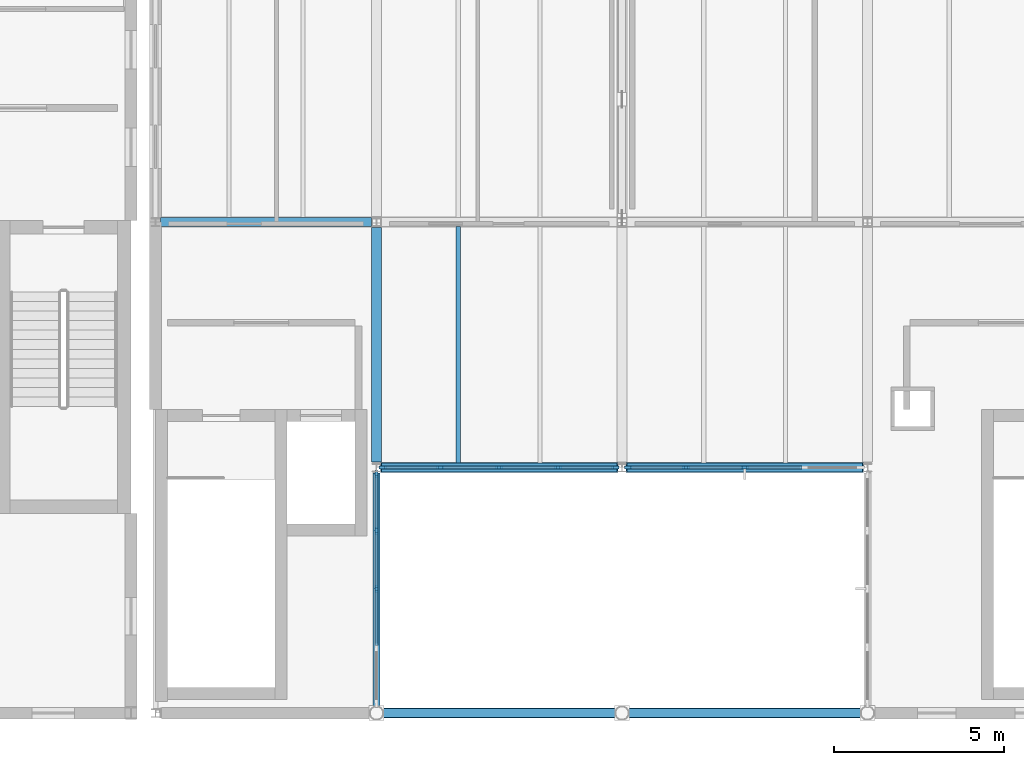
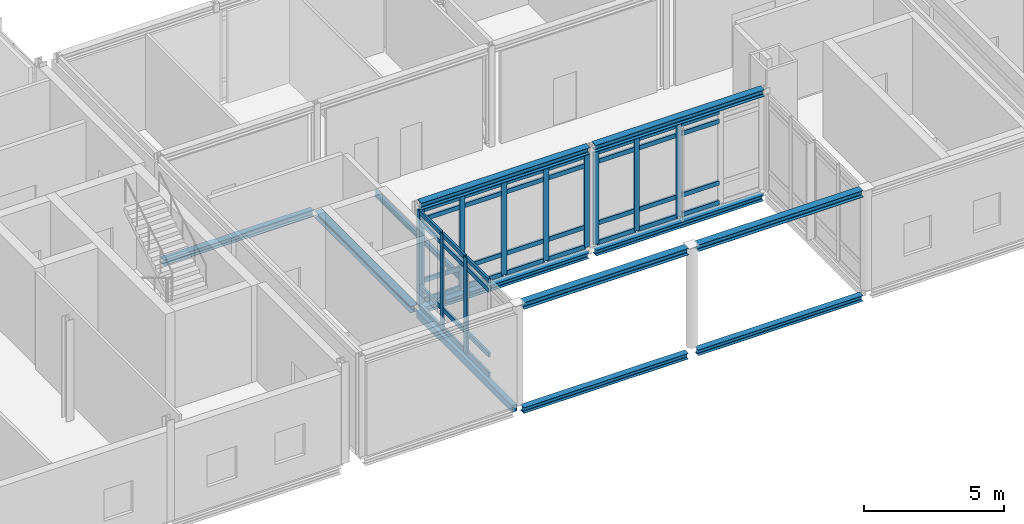
# One storey, part 9 of 43: 51 members, 12 beams, 3 elements without a shape of their own.
"""IFC4 building model written with IfcOpenShell, lengths in metres."""

from ifc_helpers import new_model, si_unit, direction, frame, origin, origin_2d, place, context, subcontext, project, spatial, rectangle, hollow_rectangle, i_section, extrude, material, layer, layer_set, material_profile, profile_set, type_object, element, aggregate, save


model = new_model("IFC4")

# Units and contexts
model_context = context("Model", 3, precision=1e-05, world=origin(), true_north=direction((0.0, 1.0)))
body_context = subcontext(model_context, "Body", "Model", "MODEL_VIEW")
ifc_project = project(units=[si_unit("LENGTHUNIT", "METRE"), si_unit("AREAUNIT", "SQUARE_METRE"), si_unit("VOLUMEUNIT", "CUBIC_METRE"), si_unit("PLANEANGLEUNIT", "RADIAN"), si_unit("MASSUNIT", "GRAM", prefix="KILO")], contexts=[model_context])

# Site, building, storey
site_placement = place(None, origin())
site = spatial("IfcSite", under=ifc_project, at=site_placement, CompositionType="ELEMENT")
building_placement = place(site_placement, origin())
building = spatial("IfcBuilding", under=site, at=building_placement, Name="Zarrinpeak Specialist Clinic", CompositionType="ELEMENT")
storey_placement = place(building_placement, frame((0.0, 0.0, 18.39990234375)))
storey = spatial("IfcBuildingStorey", under=building, at=storey_placement, Name="L04", CompositionType="ELEMENT", Elevation=18.39990234375)

# Beams
ifc_material_1 = material(Name="Steel S355", Category="steel")
ifc_material_profile_1 = material_profile(ifc_material_1, i_section(OverallWidth=0.260009765625, OverallDepth=0.25, WebThickness=0.007568359375, FlangeThickness=0.012451171875, FilletRadius=0.02392578125, at=origin_2d()), Name="HEA 260")
ifc_profile_set_1 = profile_set([ifc_material_profile_1], Name="Steel S355")
beam_type_1 = type_object("IfcBeamType", Name="BM-HEA260", PredefinedType="BEAM", material=ifc_profile_set_1)
for number, where, z_axis, x_axis, name in (
    (1, (36.201171875, 0.0, -0.324951171875), (1.0, 0.0, 0.0), (0.0, 1.0, 0.0), "L04 Primary Floor Girder BM-L04-X1813"),
    (2, (43.401123046875, 0.0, -0.324951171875), (1.0, 0.0, 0.0), (0.0, 1.0, 0.0), "L04 Primary Floor Girder BM-L04-X1814"),
):
    element("IfcBeam", number, at=place(storey_placement, frame(where, z_axis=z_axis, x_axis=x_axis)), inside=storey, type_object=beam_type_1, Name=name, PredefinedType="BEAM", context=body_context, shape_type="SweptSolid", body=[
        extrude(i_section(OverallWidth=0.260009765625, OverallDepth=0.25, WebThickness=0.007568359375, FlangeThickness=0.012451171875, FilletRadius=0.02392578125, at=origin_2d()), origin(), (0.0, 0.0, 1.0), 6.797607421875),
    ])
for number, where, z_axis, x_axis, name in (
    (3, (36.14794921875, 7.199951171875, -0.324951171875), (1.0, 0.0, 0.0), (0.0, 1.0, 0.0), "L04 Primary Floor Girder BM-L04-X1822"),
    (4, (43.347900390625, 7.199951171875, -0.324951171875), (1.0, 0.0, 0.0), (0.0, 1.0, 0.0), "L04 Primary Floor Girder BM-L04-X1823"),
):
    element("IfcBeam", number, at=place(storey_placement, frame(where, z_axis=z_axis, x_axis=x_axis)), inside=storey, type_object=beam_type_1, Name=name, PredefinedType="BEAM", context=body_context, shape_type="SweptSolid", body=[
        extrude(i_section(OverallWidth=0.260009765625, OverallDepth=0.25, WebThickness=0.007568359375, FlangeThickness=0.012451171875, FilletRadius=0.02392578125, at=origin_2d()), origin(), (0.0, 0.0, 1.0), 6.904052734375),
    ])
beam_1_placement = place(storey_placement, frame((29.66796875, 14.39990234375, -0.324951171875), z_axis=(1.0, 0.0, 0.0), x_axis=(0.0, 1.0, 0.0)))
element("IfcBeam", 5, at=beam_1_placement, inside=storey, type_object=beam_type_1, Name="L04 Primary Floor Girder BM-L04-X1827", PredefinedType="BEAM", context=body_context, shape_type="SweptSolid", body=[
    extrude(i_section(OverallWidth=0.260009765625, OverallDepth=0.25, WebThickness=0.007568359375, FlangeThickness=0.012451171875, FilletRadius=0.02392578125, at=origin_2d()), origin(), (0.0, 0.0, 1.0), 6.18408203125),
])
ifc_material_profile_2 = material_profile(ifc_material_1, i_section(OverallWidth=0.300048828125, OverallDepth=0.2900390625, WebThickness=0.008544921875, FlangeThickness=0.013916015625, FilletRadius=0.027099609375, at=origin_2d()), Name="HEA 300")
ifc_profile_set_2 = profile_set([ifc_material_profile_2], Name="Steel S355")
beam_type_2 = type_object("IfcBeamType", Name="BM-HEA300", PredefinedType="BEAM", material=ifc_profile_set_2)
beam_2_placement = place(storey_placement, frame((36.0, 7.35791015625, -0.344970703125), z_axis=(0.0, 1.0, 0.0), x_axis=(-1.0, 0.0, 0.0)))
element("IfcBeam", 6, at=beam_2_placement, inside=storey, type_object=beam_type_2, Name="L04 Primary Beam BM-L04-Y1912", PredefinedType="BEAM", context=body_context, shape_type="SweptSolid", body=[
    extrude(i_section(OverallWidth=0.300048828125, OverallDepth=0.2900390625, WebThickness=0.008544921875, FlangeThickness=0.013916015625, FilletRadius=0.027099609375, at=origin_2d()), origin(), (0.0, 0.0, 1.0), 6.884033203125),
])
for number, where, z_axis, x_axis, name in (
    (7, (36.201171875, 0.0, 4.25), (1.0, 0.0, 0.0), (0.0, 1.0, 0.0), "L04 Gable Eave Tie Girder V2 BM-RF-EAVE-2332"),
    (8, (43.401123046875, 0.0, 4.25), (1.0, 0.0, 0.0), (0.0, 1.0, 0.0), "L04 Gable Eave Tie Girder V2 BM-RF-EAVE-2333"),
):
    element("IfcBeam", number, at=place(storey_placement, frame(where, z_axis=z_axis, x_axis=x_axis)), inside=storey, type_object=beam_type_2, Name=name, PredefinedType="BEAM", context=body_context, shape_type="SweptSolid", body=[
        extrude(i_section(OverallWidth=0.300048828125, OverallDepth=0.2900390625, WebThickness=0.008544921875, FlangeThickness=0.013916015625, FilletRadius=0.027099609375, at=origin_2d()), origin(), (0.0, 0.0, 1.0), 6.797607421875),
    ])
beam_3_placement = place(storey_placement, frame((36.117919921875, 7.199951171875, 4.25), z_axis=(1.0, 0.0, 0.0), x_axis=(0.0, 1.0, 0.0)))
element("IfcBeam", 9, at=beam_3_placement, inside=storey, type_object=beam_type_2, Name="L04 Gable Eave Tie Girder V2 BM-RF-EAVE-2335", PredefinedType="BEAM", context=body_context, shape_type="SweptSolid", body=[
    extrude(i_section(OverallWidth=0.300048828125, OverallDepth=0.2900390625, WebThickness=0.008544921875, FlangeThickness=0.013916015625, FilletRadius=0.027099609375, at=origin_2d()), origin(), (0.0, 0.0, 1.0), 6.964111328125),
])
beam_4_placement = place(storey_placement, frame((43.318115234375, 7.199951171875, 4.25), z_axis=(1.0, 0.0, 0.0), x_axis=(0.0, 1.0, 0.0)))
element("IfcBeam", 10, at=beam_4_placement, inside=storey, type_object=beam_type_2, Name="L04 Gable Eave Tie Girder V2 BM-RF-EAVE-2336", PredefinedType="BEAM", context=body_context, shape_type="SweptSolid", body=[
    extrude(i_section(OverallWidth=0.300048828125, OverallDepth=0.2900390625, WebThickness=0.008544921875, FlangeThickness=0.013916015625, FilletRadius=0.027099609375, at=origin_2d()), origin(), (0.0, 0.0, 1.0), 6.9638671875),
])
ifc_material_profile_3 = material_profile(ifc_material_1, i_section(OverallWidth=0.1201171875, OverallDepth=0.239990234375, WebThickness=0.006103515625, FlangeThickness=0.009765625, FilletRadius=0.014892578125, at=origin_2d()), Name="IPE 240")
ifc_profile_set_3 = profile_set([ifc_material_profile_3], Name="Steel S355")
beam_type_3 = type_object("IfcBeamType", Name="BM-JST240", PredefinedType="JOIST", material=ifc_profile_set_3)
beam_5_placement = place(storey_placement, frame((38.39990234375, 7.327880859375, -0.31982421875), z_axis=(0.0, 1.0, 0.0), x_axis=(-1.0, 0.0, 0.0)))
element("IfcBeam", 11, at=beam_5_placement, inside=storey, type_object=beam_type_3, Name="L04 Composite Floor Joist JST-L04-1991", PredefinedType="JOIST", context=body_context, shape_type="SweptSolid", body=[
    extrude(i_section(OverallWidth=0.1201171875, OverallDepth=0.239990234375, WebThickness=0.006103515625, FlangeThickness=0.009765625, FilletRadius=0.014892578125, at=origin_2d()), origin(), (0.0, 0.0, 1.0), 6.944091796875),
])
ifc_material_profile_4 = material_profile(ifc_material_1, hollow_rectangle(XDim=0.199951171875, YDim=0.300048828125, WallThickness=0.012451171875, at=origin_2d()), Name="RHS 300x200x12.5")
ifc_profile_set_4 = profile_set([ifc_material_profile_4], Name="Steel S355")
beam_type_4 = type_object("IfcBeamType", Name="BM-SP300", PredefinedType="SPANDREL", material=ifc_profile_set_4)
beam_6_placement = place(storey_placement, frame((36.0, 0.201171875, -0.349853515625), z_axis=(0.0, 1.0, 0.0), x_axis=(-1.0, 0.0, 0.0)))
element("IfcBeam", 12, at=beam_6_placement, inside=storey, type_object=beam_type_4, Name="L04 Perimeter Spandrel Beam BM-L04-Y1911", PredefinedType="SPANDREL", context=body_context, shape_type="SweptSolid", body=[
    extrude(hollow_rectangle(XDim=0.199951171875, YDim=0.300048828125, WallThickness=0.012451171875, at=origin_2d()), origin(), (0.0, 0.0, 1.0), 6.8408203125),
])

# Curtain wall, members
ifc_material_2 = material(Name="Anodised Aluminium Alloy 6063-T6", Category="aluminium")
ifc_layer = layer(ifc_material_2, 0.18994140625)
ifc_layer_set = layer_set([ifc_layer], Name="Anodised Aluminium Alloy 6063-T6")
curtain_wall_type = type_object("IfcCurtainWallType", Name="CW-LOGGIA", PredefinedType="NOTDEFINED", material=ifc_layer_set)
curtain_wall_1_placement = place(storey_placement, origin())
curtain_wall_1 = element("IfcCurtainWall", 13, at=curtain_wall_1_placement, inside=storey, type_object=curtain_wall_type, Name="L04 V2 Unitised Curtain Wall CW-L04-V2-063", PredefinedType="NOTDEFINED")
ifc_material_profile_5 = material_profile(ifc_material_2, rectangle(XDim=0.090087890625, YDim=0.219970703125, at=origin_2d()), Name="ALU 90x220")
ifc_profile_set_5 = profile_set([ifc_material_profile_5], Name="Anodised Aluminium Alloy 6063-T6")
member_type_1 = type_object("IfcMemberType", Name="CWM-90", PredefinedType="MULLION", material=ifc_profile_set_5)
member_1_placement = place(storey_placement, frame((36.18994140625, 7.199951171875, 0.0), z_axis=(0.0, 0.0, 1.0), x_axis=(0.0, 1.0, 0.0)))
member_1 = element("IfcMember", 14, at=member_1_placement, type_object=member_type_1, Name="CW-04 mullion 1", PredefinedType="MULLION", context=body_context, shape_type="SweptSolid", body=[
    extrude(rectangle(XDim=0.090087890625, YDim=0.219970703125, at=origin_2d()), origin(), (0.0, 0.0, 1.0), 4.03515625),
])
member_2_placement = place(storey_placement, frame((37.87255859375, 7.199951171875, 0.0), z_axis=(0.0, 0.0, 1.0), x_axis=(0.0, 1.0, 0.0)))
member_2 = element("IfcMember", 15, at=member_2_placement, type_object=member_type_1, Name="CW-04 mullion 2", PredefinedType="MULLION", context=body_context, shape_type="SweptSolid", body=[
    extrude(rectangle(XDim=0.090087890625, YDim=0.219970703125, at=origin_2d()), origin(), (0.0, 0.0, 1.0), 4.03515625),
])
member_3_placement = place(storey_placement, frame((39.60009765625, 7.199951171875, 0.0), z_axis=(0.0, 0.0, 1.0), x_axis=(0.0, 1.0, 0.0)))
member_3 = element("IfcMember", 16, at=member_3_placement, type_object=member_type_1, Name="CW-04 mullion 3", PredefinedType="MULLION", context=body_context, shape_type="SweptSolid", body=[
    extrude(rectangle(XDim=0.090087890625, YDim=0.219970703125, at=origin_2d()), origin(), (0.0, 0.0, 1.0), 4.03515625),
])
member_4_placement = place(storey_placement, frame((41.327392578125, 7.199951171875, 0.0), z_axis=(0.0, 0.0, 1.0), x_axis=(0.0, 1.0, 0.0)))
member_4 = element("IfcMember", 17, at=member_4_placement, type_object=member_type_1, Name="CW-04 mullion 4", PredefinedType="MULLION", context=body_context, shape_type="SweptSolid", body=[
    extrude(rectangle(XDim=0.090087890625, YDim=0.219970703125, at=origin_2d()), origin(), (0.0, 0.0, 1.0), 4.03515625),
])
member_5_placement = place(storey_placement, frame((43.010009765625, 7.199951171875, 0.0), z_axis=(0.0, 0.0, 1.0), x_axis=(0.0, 1.0, 0.0)))
member_5 = element("IfcMember", 18, at=member_5_placement, type_object=member_type_1, Name="CW-04 mullion 5", PredefinedType="MULLION", context=body_context, shape_type="SweptSolid", body=[
    extrude(rectangle(XDim=0.090087890625, YDim=0.219970703125, at=origin_2d()), origin(), (0.0, 0.0, 1.0), 4.03515625),
])

curtain_wall_2_placement = place(storey_placement, origin())
curtain_wall_2 = element("IfcCurtainWall", 19, at=curtain_wall_2_placement, inside=storey, type_object=curtain_wall_type, Name="L04 V2 Unitised Curtain Wall CW-L04-V2-064", PredefinedType="NOTDEFINED")
member_6_placement = place(storey_placement, frame((43.389892578125, 7.199951171875, 0.0), z_axis=(0.0, 0.0, 1.0), x_axis=(0.0, 1.0, 0.0)))
member_6 = element("IfcMember", 20, at=member_6_placement, type_object=member_type_1, Name="CW-04 mullion 1", PredefinedType="MULLION", context=body_context, shape_type="SweptSolid", body=[
    extrude(rectangle(XDim=0.090087890625, YDim=0.219970703125, at=origin_2d()), origin(), (0.0, 0.0, 1.0), 4.03515625),
])
member_7_placement = place(storey_placement, frame((45.072509765625, 7.199951171875, 0.0), z_axis=(0.0, 0.0, 1.0), x_axis=(0.0, 1.0, 0.0)))
member_7 = element("IfcMember", 21, at=member_7_placement, type_object=member_type_1, Name="CW-04 mullion 2", PredefinedType="MULLION", context=body_context, shape_type="SweptSolid", body=[
    extrude(rectangle(XDim=0.090087890625, YDim=0.219970703125, at=origin_2d()), origin(), (0.0, 0.0, 1.0), 4.03515625),
])
member_8_placement = place(storey_placement, frame((46.800048828125, 7.199951171875, 0.0), z_axis=(0.0, 0.0, 1.0), x_axis=(0.0, 1.0, 0.0)))
member_8 = element("IfcMember", 22, at=member_8_placement, type_object=member_type_1, Name="CW-04 mullion 3", PredefinedType="MULLION", context=body_context, shape_type="SweptSolid", body=[
    extrude(rectangle(XDim=0.090087890625, YDim=0.219970703125, at=origin_2d()), origin(), (0.0, 0.0, 1.0), 4.03515625),
])

curtain_wall_3_placement = place(storey_placement, origin())
curtain_wall_3 = element("IfcCurtainWall", 23, at=curtain_wall_3_placement, inside=storey, type_object=curtain_wall_type, Name="L04 V2 Unitised Curtain Wall CW-L04-V2-065", PredefinedType="NOTDEFINED")
member_9_placement = place(storey_placement, frame((36.0, 3.6416015625, 0.0), z_axis=(0.0, 0.0, 1.0), x_axis=(-1.0, 0.0, 0.0)))
member_9 = element("IfcMember", 24, at=member_9_placement, type_object=member_type_1, Name="CW-04 mullion 3", PredefinedType="MULLION", context=body_context, shape_type="SweptSolid", body=[
    extrude(rectangle(XDim=0.090087890625, YDim=0.219970703125, at=origin_2d()), origin(), (0.0, 0.0, 1.0), 4.18017578125),
])
member_10_placement = place(storey_placement, frame((36.0, 5.348388671875, 0.0), z_axis=(0.0, 0.0, 1.0), x_axis=(-1.0, 0.0, 0.0)))
member_10 = element("IfcMember", 25, at=member_10_placement, type_object=member_type_1, Name="CW-04 mullion 4", PredefinedType="MULLION", context=body_context, shape_type="SweptSolid", body=[
    extrude(rectangle(XDim=0.090087890625, YDim=0.219970703125, at=origin_2d()), origin(), (0.0, 0.0, 1.0), 4.18017578125),
])
member_11_placement = place(storey_placement, frame((36.0, 7.010009765625, 0.0), z_axis=(0.0, 0.0, 1.0), x_axis=(-1.0, 0.0, 0.0)))
member_11 = element("IfcMember", 26, at=member_11_placement, type_object=member_type_1, Name="CW-04 mullion 5", PredefinedType="MULLION", context=body_context, shape_type="SweptSolid", body=[
    extrude(rectangle(XDim=0.090087890625, YDim=0.219970703125, at=origin_2d()), origin(), (0.0, 0.0, 1.0), 4.18017578125),
])

# Member
ifc_material_profile_6 = material_profile(ifc_material_2, rectangle(XDim=0.090087890625, YDim=0.18994140625, at=origin_2d()), Name="ALU 90x190")
ifc_profile_set_6 = profile_set([ifc_material_profile_6], Name="Anodised Aluminium Alloy 6063-T6")
member_type_2 = type_object("IfcMemberType", Name="CWT-90", PredefinedType="USERDEFINED", material=ifc_profile_set_6)
member_12_placement = place(storey_placement, frame((36.235107421875, 7.199951171875, 0.045166015625), z_axis=(1.0, 0.0, 0.0), x_axis=(0.0, 1.0, 0.0)))
member_12 = element("IfcMember", 27, at=member_12_placement, type_object=member_type_2, Name="CW-04 transom 1.1", ObjectType="TRANSOM", PredefinedType="USERDEFINED", context=body_context, shape_type="SweptSolid", body=[
    extrude(rectangle(XDim=0.090087890625, YDim=0.18994140625, at=origin_2d()), origin(), (0.0, 0.0, 1.0), 1.59228515625),
])

member_13_placement = place(storey_placement, frame((36.235107421875, 7.199951171875, 0.900146484375), z_axis=(1.0, 0.0, 0.0), x_axis=(0.0, 1.0, 0.0)))
member_13 = element("IfcMember", 28, at=member_13_placement, type_object=member_type_2, Name="CW-04 transom 1.2", ObjectType="TRANSOM", PredefinedType="USERDEFINED", context=body_context, shape_type="SweptSolid", body=[
    extrude(rectangle(XDim=0.090087890625, YDim=0.18994140625, at=origin_2d()), origin(), (0.0, 0.0, 1.0), 1.59228515625),
])

member_14_placement = place(storey_placement, frame((36.235107421875, 7.199951171875, 3.585205078125), z_axis=(1.0, 0.0, 0.0), x_axis=(0.0, 1.0, 0.0)))
member_14 = element("IfcMember", 29, at=member_14_placement, type_object=member_type_2, Name="CW-04 transom 1.3", ObjectType="TRANSOM", PredefinedType="USERDEFINED", context=body_context, shape_type="SweptSolid", body=[
    extrude(rectangle(XDim=0.090087890625, YDim=0.18994140625, at=origin_2d()), origin(), (0.0, 0.0, 1.0), 1.59228515625),
])

member_15_placement = place(storey_placement, frame((36.235107421875, 7.199951171875, 3.989990234375), z_axis=(1.0, 0.0, 0.0), x_axis=(0.0, 1.0, 0.0)))
member_15 = element("IfcMember", 30, at=member_15_placement, type_object=member_type_2, Name="CW-04 transom 1.4", ObjectType="TRANSOM", PredefinedType="USERDEFINED", context=body_context, shape_type="SweptSolid", body=[
    extrude(rectangle(XDim=0.090087890625, YDim=0.18994140625, at=origin_2d()), origin(), (0.0, 0.0, 1.0), 1.59228515625),
])

member_16_placement = place(storey_placement, frame((37.91748046875, 7.199951171875, 0.045166015625), z_axis=(1.0, 0.0, 0.0), x_axis=(0.0, 1.0, 0.0)))
member_16 = element("IfcMember", 31, at=member_16_placement, type_object=member_type_2, Name="CW-04 transom 2.1", ObjectType="TRANSOM", PredefinedType="USERDEFINED", context=body_context, shape_type="SweptSolid", body=[
    extrude(rectangle(XDim=0.090087890625, YDim=0.18994140625, at=origin_2d()), origin(), (0.0, 0.0, 1.0), 1.637451171875),
])

member_17_placement = place(storey_placement, frame((37.91748046875, 7.199951171875, 0.900146484375), z_axis=(1.0, 0.0, 0.0), x_axis=(0.0, 1.0, 0.0)))
member_17 = element("IfcMember", 32, at=member_17_placement, type_object=member_type_2, Name="CW-04 transom 2.2", ObjectType="TRANSOM", PredefinedType="USERDEFINED", context=body_context, shape_type="SweptSolid", body=[
    extrude(rectangle(XDim=0.090087890625, YDim=0.18994140625, at=origin_2d()), origin(), (0.0, 0.0, 1.0), 1.637451171875),
])

member_18_placement = place(storey_placement, frame((37.91748046875, 7.199951171875, 3.585205078125), z_axis=(1.0, 0.0, 0.0), x_axis=(0.0, 1.0, 0.0)))
member_18 = element("IfcMember", 33, at=member_18_placement, type_object=member_type_2, Name="CW-04 transom 2.3", ObjectType="TRANSOM", PredefinedType="USERDEFINED", context=body_context, shape_type="SweptSolid", body=[
    extrude(rectangle(XDim=0.090087890625, YDim=0.18994140625, at=origin_2d()), origin(), (0.0, 0.0, 1.0), 1.637451171875),
])

member_19_placement = place(storey_placement, frame((37.91748046875, 7.199951171875, 3.989990234375), z_axis=(1.0, 0.0, 0.0), x_axis=(0.0, 1.0, 0.0)))
member_19 = element("IfcMember", 34, at=member_19_placement, type_object=member_type_2, Name="CW-04 transom 2.4", ObjectType="TRANSOM", PredefinedType="USERDEFINED", context=body_context, shape_type="SweptSolid", body=[
    extrude(rectangle(XDim=0.090087890625, YDim=0.18994140625, at=origin_2d()), origin(), (0.0, 0.0, 1.0), 1.637451171875),
])

member_20_placement = place(storey_placement, frame((39.64501953125, 7.199951171875, 0.045166015625), z_axis=(1.0, 0.0, 0.0), x_axis=(0.0, 1.0, 0.0)))
member_20 = element("IfcMember", 35, at=member_20_placement, type_object=member_type_2, Name="CW-04 transom 3.1", ObjectType="TRANSOM", PredefinedType="USERDEFINED", context=body_context, shape_type="SweptSolid", body=[
    extrude(rectangle(XDim=0.090087890625, YDim=0.18994140625, at=origin_2d()), origin(), (0.0, 0.0, 1.0), 1.637451171875),
])

member_21_placement = place(storey_placement, frame((39.64501953125, 7.199951171875, 0.900146484375), z_axis=(1.0, 0.0, 0.0), x_axis=(0.0, 1.0, 0.0)))
member_21 = element("IfcMember", 36, at=member_21_placement, type_object=member_type_2, Name="CW-04 transom 3.2", ObjectType="TRANSOM", PredefinedType="USERDEFINED", context=body_context, shape_type="SweptSolid", body=[
    extrude(rectangle(XDim=0.090087890625, YDim=0.18994140625, at=origin_2d()), origin(), (0.0, 0.0, 1.0), 1.637451171875),
])

member_22_placement = place(storey_placement, frame((39.64501953125, 7.199951171875, 3.585205078125), z_axis=(1.0, 0.0, 0.0), x_axis=(0.0, 1.0, 0.0)))
member_22 = element("IfcMember", 37, at=member_22_placement, type_object=member_type_2, Name="CW-04 transom 3.3", ObjectType="TRANSOM", PredefinedType="USERDEFINED", context=body_context, shape_type="SweptSolid", body=[
    extrude(rectangle(XDim=0.090087890625, YDim=0.18994140625, at=origin_2d()), origin(), (0.0, 0.0, 1.0), 1.637451171875),
])

member_23_placement = place(storey_placement, frame((39.64501953125, 7.199951171875, 3.989990234375), z_axis=(1.0, 0.0, 0.0), x_axis=(0.0, 1.0, 0.0)))
member_23 = element("IfcMember", 38, at=member_23_placement, type_object=member_type_2, Name="CW-04 transom 3.4", ObjectType="TRANSOM", PredefinedType="USERDEFINED", context=body_context, shape_type="SweptSolid", body=[
    extrude(rectangle(XDim=0.090087890625, YDim=0.18994140625, at=origin_2d()), origin(), (0.0, 0.0, 1.0), 1.637451171875),
])

member_24_placement = place(storey_placement, frame((41.37255859375, 7.199951171875, 0.045166015625), z_axis=(1.0, 0.0, 0.0), x_axis=(0.0, 1.0, 0.0)))
member_24 = element("IfcMember", 39, at=member_24_placement, type_object=member_type_2, Name="CW-04 transom 4.1", ObjectType="TRANSOM", PredefinedType="USERDEFINED", context=body_context, shape_type="SweptSolid", body=[
    extrude(rectangle(XDim=0.090087890625, YDim=0.18994140625, at=origin_2d()), origin(), (0.0, 0.0, 1.0), 1.592529296875),
])

member_25_placement = place(storey_placement, frame((41.37255859375, 7.199951171875, 0.900146484375), z_axis=(1.0, 0.0, 0.0), x_axis=(0.0, 1.0, 0.0)))
member_25 = element("IfcMember", 40, at=member_25_placement, type_object=member_type_2, Name="CW-04 transom 4.2", ObjectType="TRANSOM", PredefinedType="USERDEFINED", context=body_context, shape_type="SweptSolid", body=[
    extrude(rectangle(XDim=0.090087890625, YDim=0.18994140625, at=origin_2d()), origin(), (0.0, 0.0, 1.0), 1.592529296875),
])

member_26_placement = place(storey_placement, frame((41.37255859375, 7.199951171875, 3.585205078125), z_axis=(1.0, 0.0, 0.0), x_axis=(0.0, 1.0, 0.0)))
member_26 = element("IfcMember", 41, at=member_26_placement, type_object=member_type_2, Name="CW-04 transom 4.3", ObjectType="TRANSOM", PredefinedType="USERDEFINED", context=body_context, shape_type="SweptSolid", body=[
    extrude(rectangle(XDim=0.090087890625, YDim=0.18994140625, at=origin_2d()), origin(), (0.0, 0.0, 1.0), 1.592529296875),
])

member_27_placement = place(storey_placement, frame((41.37255859375, 7.199951171875, 3.989990234375), z_axis=(1.0, 0.0, 0.0), x_axis=(0.0, 1.0, 0.0)))
member_27 = element("IfcMember", 42, at=member_27_placement, type_object=member_type_2, Name="CW-04 transom 4.4", ObjectType="TRANSOM", PredefinedType="USERDEFINED", context=body_context, shape_type="SweptSolid", body=[
    extrude(rectangle(XDim=0.090087890625, YDim=0.18994140625, at=origin_2d()), origin(), (0.0, 0.0, 1.0), 1.592529296875),
])

aggregate(curtain_wall_1, [member_1, member_2, member_3, member_4, member_5, member_12, member_13, member_14, member_15, member_16, member_17, member_18, member_19, member_20, member_21, member_22, member_23, member_24, member_25, member_26, member_27])

member_28_placement = place(storey_placement, frame((43.43505859375, 7.199951171875, 0.045166015625), z_axis=(1.0, 0.0, 0.0), x_axis=(0.0, 1.0, 0.0)))
member_28 = element("IfcMember", 43, at=member_28_placement, type_object=member_type_2, Name="CW-04 transom 1.1", ObjectType="TRANSOM", PredefinedType="USERDEFINED", context=body_context, shape_type="SweptSolid", body=[
    extrude(rectangle(XDim=0.090087890625, YDim=0.18994140625, at=origin_2d()), origin(), (0.0, 0.0, 1.0), 1.592529296875),
])

member_29_placement = place(storey_placement, frame((43.43505859375, 7.199951171875, 0.900146484375), z_axis=(1.0, 0.0, 0.0), x_axis=(0.0, 1.0, 0.0)))
member_29 = element("IfcMember", 44, at=member_29_placement, type_object=member_type_2, Name="CW-04 transom 1.2", ObjectType="TRANSOM", PredefinedType="USERDEFINED", context=body_context, shape_type="SweptSolid", body=[
    extrude(rectangle(XDim=0.090087890625, YDim=0.18994140625, at=origin_2d()), origin(), (0.0, 0.0, 1.0), 1.592529296875),
])

member_30_placement = place(storey_placement, frame((43.43505859375, 7.199951171875, 3.585205078125), z_axis=(1.0, 0.0, 0.0), x_axis=(0.0, 1.0, 0.0)))
member_30 = element("IfcMember", 45, at=member_30_placement, type_object=member_type_2, Name="CW-04 transom 1.3", ObjectType="TRANSOM", PredefinedType="USERDEFINED", context=body_context, shape_type="SweptSolid", body=[
    extrude(rectangle(XDim=0.090087890625, YDim=0.18994140625, at=origin_2d()), origin(), (0.0, 0.0, 1.0), 1.592529296875),
])

member_31_placement = place(storey_placement, frame((43.43505859375, 7.199951171875, 3.989990234375), z_axis=(1.0, 0.0, 0.0), x_axis=(0.0, 1.0, 0.0)))
member_31 = element("IfcMember", 46, at=member_31_placement, type_object=member_type_2, Name="CW-04 transom 1.4", ObjectType="TRANSOM", PredefinedType="USERDEFINED", context=body_context, shape_type="SweptSolid", body=[
    extrude(rectangle(XDim=0.090087890625, YDim=0.18994140625, at=origin_2d()), origin(), (0.0, 0.0, 1.0), 1.592529296875),
])

member_32_placement = place(storey_placement, frame((45.117431640625, 7.199951171875, 0.045166015625), z_axis=(1.0, 0.0, 0.0), x_axis=(0.0, 1.0, 0.0)))
member_32 = element("IfcMember", 47, at=member_32_placement, type_object=member_type_2, Name="CW-04 transom 2.1", ObjectType="TRANSOM", PredefinedType="USERDEFINED", context=body_context, shape_type="SweptSolid", body=[
    extrude(rectangle(XDim=0.090087890625, YDim=0.18994140625, at=origin_2d()), origin(), (0.0, 0.0, 1.0), 1.637451171875),
])

member_33_placement = place(storey_placement, frame((45.117431640625, 7.199951171875, 0.900146484375), z_axis=(1.0, 0.0, 0.0), x_axis=(0.0, 1.0, 0.0)))
member_33 = element("IfcMember", 48, at=member_33_placement, type_object=member_type_2, Name="CW-04 transom 2.2", ObjectType="TRANSOM", PredefinedType="USERDEFINED", context=body_context, shape_type="SweptSolid", body=[
    extrude(rectangle(XDim=0.090087890625, YDim=0.18994140625, at=origin_2d()), origin(), (0.0, 0.0, 1.0), 1.637451171875),
])

member_34_placement = place(storey_placement, frame((45.117431640625, 7.199951171875, 3.585205078125), z_axis=(1.0, 0.0, 0.0), x_axis=(0.0, 1.0, 0.0)))
member_34 = element("IfcMember", 49, at=member_34_placement, type_object=member_type_2, Name="CW-04 transom 2.3", ObjectType="TRANSOM", PredefinedType="USERDEFINED", context=body_context, shape_type="SweptSolid", body=[
    extrude(rectangle(XDim=0.090087890625, YDim=0.18994140625, at=origin_2d()), origin(), (0.0, 0.0, 1.0), 1.637451171875),
])

member_35_placement = place(storey_placement, frame((45.117431640625, 7.199951171875, 3.989990234375), z_axis=(1.0, 0.0, 0.0), x_axis=(0.0, 1.0, 0.0)))
member_35 = element("IfcMember", 50, at=member_35_placement, type_object=member_type_2, Name="CW-04 transom 2.4", ObjectType="TRANSOM", PredefinedType="USERDEFINED", context=body_context, shape_type="SweptSolid", body=[
    extrude(rectangle(XDim=0.090087890625, YDim=0.18994140625, at=origin_2d()), origin(), (0.0, 0.0, 1.0), 1.637451171875),
])

member_36_placement = place(storey_placement, frame((46.844970703125, 7.199951171875, 0.045166015625), z_axis=(1.0, 0.0, 0.0), x_axis=(0.0, 1.0, 0.0)))
member_36 = element("IfcMember", 51, at=member_36_placement, type_object=member_type_2, Name="CW-04 transom 3.1", ObjectType="TRANSOM", PredefinedType="USERDEFINED", context=body_context, shape_type="SweptSolid", body=[
    extrude(rectangle(XDim=0.090087890625, YDim=0.18994140625, at=origin_2d()), origin(), (0.0, 0.0, 1.0), 1.637451171875),
])

member_37_placement = place(storey_placement, frame((46.844970703125, 7.199951171875, 0.900146484375), z_axis=(1.0, 0.0, 0.0), x_axis=(0.0, 1.0, 0.0)))
member_37 = element("IfcMember", 52, at=member_37_placement, type_object=member_type_2, Name="CW-04 transom 3.2", ObjectType="TRANSOM", PredefinedType="USERDEFINED", context=body_context, shape_type="SweptSolid", body=[
    extrude(rectangle(XDim=0.090087890625, YDim=0.18994140625, at=origin_2d()), origin(), (0.0, 0.0, 1.0), 1.637451171875),
])

member_38_placement = place(storey_placement, frame((46.844970703125, 7.199951171875, 3.585205078125), z_axis=(1.0, 0.0, 0.0), x_axis=(0.0, 1.0, 0.0)))
member_38 = element("IfcMember", 53, at=member_38_placement, type_object=member_type_2, Name="CW-04 transom 3.3", ObjectType="TRANSOM", PredefinedType="USERDEFINED", context=body_context, shape_type="SweptSolid", body=[
    extrude(rectangle(XDim=0.090087890625, YDim=0.18994140625, at=origin_2d()), origin(), (0.0, 0.0, 1.0), 1.637451171875),
])

member_39_placement = place(storey_placement, frame((46.844970703125, 7.199951171875, 3.989990234375), z_axis=(1.0, 0.0, 0.0), x_axis=(0.0, 1.0, 0.0)))
member_39 = element("IfcMember", 54, at=member_39_placement, type_object=member_type_2, Name="CW-04 transom 3.4", ObjectType="TRANSOM", PredefinedType="USERDEFINED", context=body_context, shape_type="SweptSolid", body=[
    extrude(rectangle(XDim=0.090087890625, YDim=0.18994140625, at=origin_2d()), origin(), (0.0, 0.0, 1.0), 1.637451171875),
])

aggregate(curtain_wall_2, [member_6, member_7, member_8, member_28, member_29, member_30, member_31, member_32, member_33, member_34, member_35, member_36, member_37, member_38, member_39])

member_40_placement = place(storey_placement, frame((36.0, 1.97998046875, 0.045166015625), z_axis=(0.0, 1.0, 0.0), x_axis=(-1.0, 0.0, 0.0)))
member_40 = element("IfcMember", 55, at=member_40_placement, type_object=member_type_2, Name="CW-04 transom 2.1", ObjectType="TRANSOM", PredefinedType="USERDEFINED", context=body_context, shape_type="SweptSolid", body=[
    extrude(rectangle(XDim=0.090087890625, YDim=0.18994140625, at=origin_2d()), origin(), (0.0, 0.0, 1.0), 1.61669921875),
])

member_41_placement = place(storey_placement, frame((36.0, 1.97998046875, 0.900146484375), z_axis=(0.0, 1.0, 0.0), x_axis=(-1.0, 0.0, 0.0)))
member_41 = element("IfcMember", 56, at=member_41_placement, type_object=member_type_2, Name="CW-04 transom 2.2", ObjectType="TRANSOM", PredefinedType="USERDEFINED", context=body_context, shape_type="SweptSolid", body=[
    extrude(rectangle(XDim=0.090087890625, YDim=0.18994140625, at=origin_2d()), origin(), (0.0, 0.0, 1.0), 1.61669921875),
])

member_42_placement = place(storey_placement, frame((36.0, 1.97998046875, 3.72998046875), z_axis=(0.0, 1.0, 0.0), x_axis=(-1.0, 0.0, 0.0)))
member_42 = element("IfcMember", 57, at=member_42_placement, type_object=member_type_2, Name="CW-04 transom 2.3", ObjectType="TRANSOM", PredefinedType="USERDEFINED", context=body_context, shape_type="SweptSolid", body=[
    extrude(rectangle(XDim=0.090087890625, YDim=0.18994140625, at=origin_2d()), origin(), (0.0, 0.0, 1.0), 1.61669921875),
])

member_43_placement = place(storey_placement, frame((36.0, 1.97998046875, 4.135009765625), z_axis=(0.0, 1.0, 0.0), x_axis=(-1.0, 0.0, 0.0)))
member_43 = element("IfcMember", 58, at=member_43_placement, type_object=member_type_2, Name="CW-04 transom 2.4", ObjectType="TRANSOM", PredefinedType="USERDEFINED", context=body_context, shape_type="SweptSolid", body=[
    extrude(rectangle(XDim=0.090087890625, YDim=0.18994140625, at=origin_2d()), origin(), (0.0, 0.0, 1.0), 1.61669921875),
])

member_44_placement = place(storey_placement, frame((36.0, 3.6865234375, 0.045166015625), z_axis=(0.0, 1.0, 0.0), x_axis=(-1.0, 0.0, 0.0)))
member_44 = element("IfcMember", 59, at=member_44_placement, type_object=member_type_2, Name="CW-04 transom 3.1", ObjectType="TRANSOM", PredefinedType="USERDEFINED", context=body_context, shape_type="SweptSolid", body=[
    extrude(rectangle(XDim=0.090087890625, YDim=0.18994140625, at=origin_2d()), origin(), (0.0, 0.0, 1.0), 1.61669921875),
])

member_45_placement = place(storey_placement, frame((36.0, 3.6865234375, 0.900146484375), z_axis=(0.0, 1.0, 0.0), x_axis=(-1.0, 0.0, 0.0)))
member_45 = element("IfcMember", 60, at=member_45_placement, type_object=member_type_2, Name="CW-04 transom 3.2", ObjectType="TRANSOM", PredefinedType="USERDEFINED", context=body_context, shape_type="SweptSolid", body=[
    extrude(rectangle(XDim=0.090087890625, YDim=0.18994140625, at=origin_2d()), origin(), (0.0, 0.0, 1.0), 1.61669921875),
])

member_46_placement = place(storey_placement, frame((36.0, 3.6865234375, 3.72998046875), z_axis=(0.0, 1.0, 0.0), x_axis=(-1.0, 0.0, 0.0)))
member_46 = element("IfcMember", 61, at=member_46_placement, type_object=member_type_2, Name="CW-04 transom 3.3", ObjectType="TRANSOM", PredefinedType="USERDEFINED", context=body_context, shape_type="SweptSolid", body=[
    extrude(rectangle(XDim=0.090087890625, YDim=0.18994140625, at=origin_2d()), origin(), (0.0, 0.0, 1.0), 1.61669921875),
])

member_47_placement = place(storey_placement, frame((36.0, 3.6865234375, 4.135009765625), z_axis=(0.0, 1.0, 0.0), x_axis=(-1.0, 0.0, 0.0)))
member_47 = element("IfcMember", 62, at=member_47_placement, type_object=member_type_2, Name="CW-04 transom 3.4", ObjectType="TRANSOM", PredefinedType="USERDEFINED", context=body_context, shape_type="SweptSolid", body=[
    extrude(rectangle(XDim=0.090087890625, YDim=0.18994140625, at=origin_2d()), origin(), (0.0, 0.0, 1.0), 1.61669921875),
])

member_48_placement = place(storey_placement, frame((36.0, 5.393310546875, 0.045166015625), z_axis=(0.0, 1.0, 0.0), x_axis=(-1.0, 0.0, 0.0)))
member_48 = element("IfcMember", 63, at=member_48_placement, type_object=member_type_2, Name="CW-04 transom 4.1", ObjectType="TRANSOM", PredefinedType="USERDEFINED", context=body_context, shape_type="SweptSolid", body=[
    extrude(rectangle(XDim=0.090087890625, YDim=0.18994140625, at=origin_2d()), origin(), (0.0, 0.0, 1.0), 1.57177734375),
])

member_49_placement = place(storey_placement, frame((36.0, 5.393310546875, 0.900146484375), z_axis=(0.0, 1.0, 0.0), x_axis=(-1.0, 0.0, 0.0)))
member_49 = element("IfcMember", 64, at=member_49_placement, type_object=member_type_2, Name="CW-04 transom 4.2", ObjectType="TRANSOM", PredefinedType="USERDEFINED", context=body_context, shape_type="SweptSolid", body=[
    extrude(rectangle(XDim=0.090087890625, YDim=0.18994140625, at=origin_2d()), origin(), (0.0, 0.0, 1.0), 1.57177734375),
])

member_50_placement = place(storey_placement, frame((36.0, 5.393310546875, 3.72998046875), z_axis=(0.0, 1.0, 0.0), x_axis=(-1.0, 0.0, 0.0)))
member_50 = element("IfcMember", 65, at=member_50_placement, type_object=member_type_2, Name="CW-04 transom 4.3", ObjectType="TRANSOM", PredefinedType="USERDEFINED", context=body_context, shape_type="SweptSolid", body=[
    extrude(rectangle(XDim=0.090087890625, YDim=0.18994140625, at=origin_2d()), origin(), (0.0, 0.0, 1.0), 1.57177734375),
])

member_51_placement = place(storey_placement, frame((36.0, 5.393310546875, 4.135009765625), z_axis=(0.0, 1.0, 0.0), x_axis=(-1.0, 0.0, 0.0)))
member_51 = element("IfcMember", 66, at=member_51_placement, type_object=member_type_2, Name="CW-04 transom 4.4", ObjectType="TRANSOM", PredefinedType="USERDEFINED", context=body_context, shape_type="SweptSolid", body=[
    extrude(rectangle(XDim=0.090087890625, YDim=0.18994140625, at=origin_2d()), origin(), (0.0, 0.0, 1.0), 1.57177734375),
])

aggregate(curtain_wall_3, [member_9, member_10, member_11, member_40, member_41, member_42, member_43, member_44, member_45, member_46, member_47, member_48, member_49, member_50, member_51])

save(model, "model.ifc")
